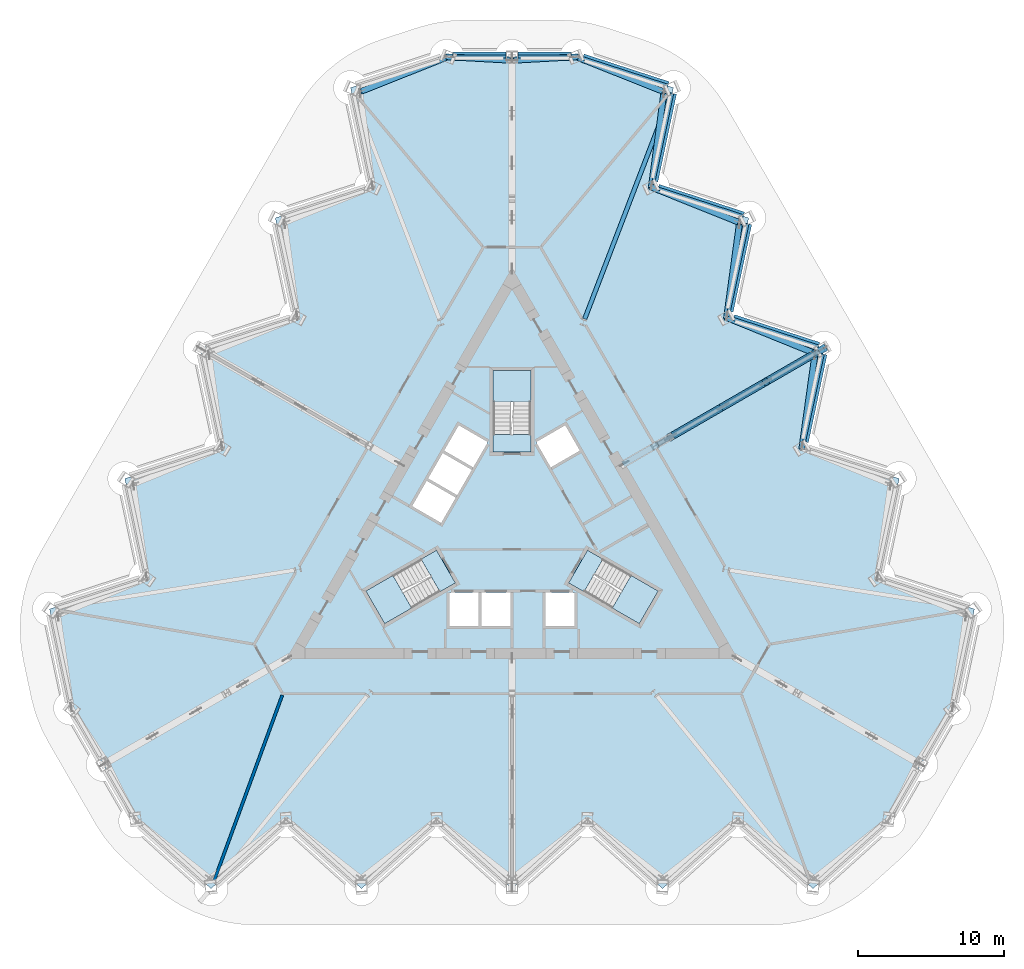
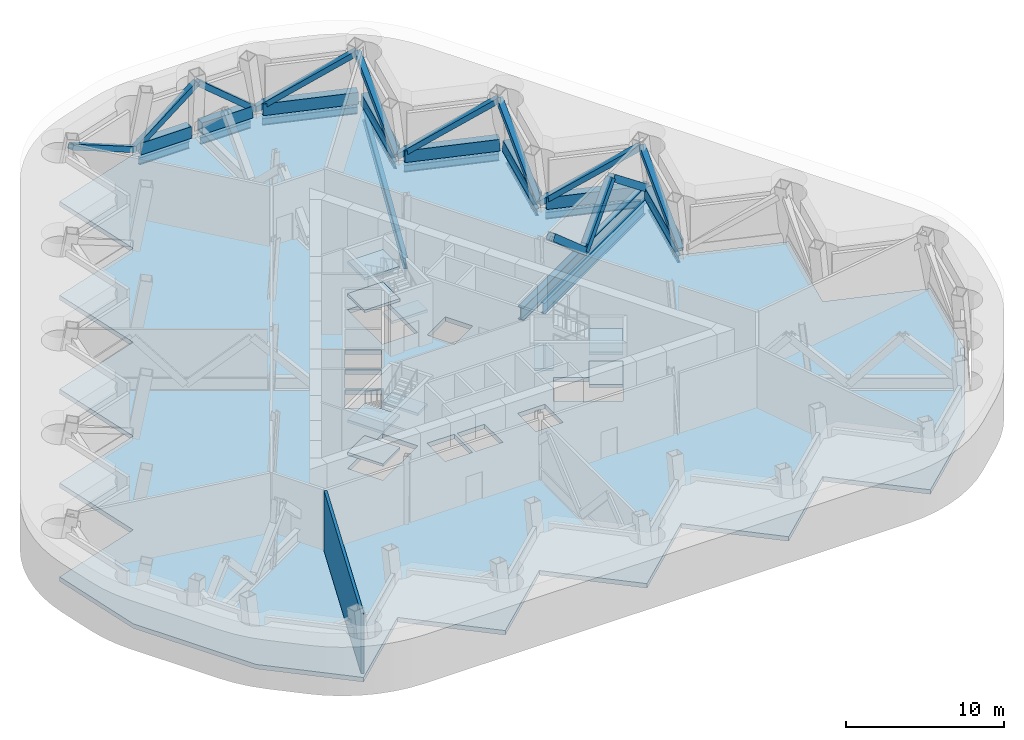
# One storey, part 4 of 13: 21 members, 10 beams, 10 slabs, 1 wall, 3 elements without a shape of their own.
"""IFC4 building model written with IfcOpenShell, lengths in metres."""

from ifc_helpers import new_model, si_unit, direction, frame, frame_2d, origin, origin_2d, place, context, subcontext, project, spatial, polyline, rectangle, hollow_rectangle, i_section, outline, extrude, material, layer, layer_set, material_profile, profile_set, type_object, element, aggregate, save


model = new_model("IFC4")

# Units and contexts
model_context = context("Model", 3, precision=1e-05, world=origin(), true_north=direction((0.0, 1.0)))
body_context = subcontext(model_context, "Body", "Model", "MODEL_VIEW")
ifc_project = project(units=[si_unit("LENGTHUNIT", "METRE"), si_unit("AREAUNIT", "SQUARE_METRE"), si_unit("VOLUMEUNIT", "CUBIC_METRE"), si_unit("PLANEANGLEUNIT", "RADIAN"), si_unit("MASSUNIT", "GRAM", prefix="KILO")], contexts=[model_context])

# Site, building, storey
site_placement = place(None, origin())
site = spatial("IfcSite", under=ifc_project, at=site_placement, CompositionType="ELEMENT")
building_placement = place(site_placement, origin())
building = spatial("IfcBuilding", under=site, at=building_placement, Name="Cormorant Prow Tower", CompositionType="ELEMENT")
storey_placement = place(building_placement, frame((0.0, 0.0, 226.0)))
storey = spatial("IfcBuildingStorey", under=building, at=storey_placement, Name="L49", CompositionType="ELEMENT", Elevation=226.0)

# Members
ifc_material_1 = material(Name="Structural steel ASTM A572 Gr 50", Category="steel")
ifc_material_profile_1 = material_profile(ifc_material_1, hollow_rectangle(XDim=0.60009765625, YDim=0.89990234375, WallThickness=0.06005859375, at=origin_2d()), Name="Box 900x600x60")
ifc_profile_set_1 = profile_set([ifc_material_profile_1], Name="Structural steel ASTM A572 Gr 50")
member_type_1 = type_object("IfcMemberType", Name="Belt truss bottom chord 900x600x60", PredefinedType="CHORD", material=ifc_profile_set_1)
member_1_placement = place(storey_placement, frame((20.0478515625, 5.9541015625, 0.449951171875), z_axis=(0.207904811195, 0.978149063018, 0.0), x_axis=(-0.978149063018, 0.207904811195, 0.0)))
element("IfcMember", 1, at=member_1_placement, inside=storey, type_object=member_type_1, Name="Belt truss bottom chord ENE04-ENE05 L49", PredefinedType="CHORD", context=body_context, shape_type="SweptSolid", body=[
    extrude(hollow_rectangle(XDim=0.60009765625, YDim=0.89990234375, WallThickness=0.06005859375, at=origin_2d()), origin(), (0.0, 0.0, 1.0), 6.149658203125),
])
member_2_placement = place(storey_placement, frame((21.029052734375, 12.484375, 0.449951171875), z_axis=(-0.951057696564, 0.309013361859, 0.0), x_axis=(-0.309013361859, -0.951057696564, 0.0)))
element("IfcMember", 2, at=member_2_placement, inside=storey, type_object=member_type_1, Name="Belt truss bottom chord ENE05-ENE06 L49", PredefinedType="CHORD", context=body_context, shape_type="SweptSolid", body=[
    extrude(hollow_rectangle(XDim=0.60009765625, YDim=0.89990234375, WallThickness=0.06005859375, at=origin_2d()), origin(), (0.0, 0.0, 1.0), 6.14990234375),
])
member_3_placement = place(storey_placement, frame((14.883056640625, 14.899658203125, 0.449951171875), z_axis=(0.207904811195, 0.978149063018, 0.0), x_axis=(-0.978149063018, 0.207904811195, 0.0)))
element("IfcMember", 3, at=member_3_placement, inside=storey, type_object=member_type_1, Name="Belt truss bottom chord ENE06-ENE07 L49", PredefinedType="CHORD", context=body_context, shape_type="SweptSolid", body=[
    extrude(hollow_rectangle(XDim=0.60009765625, YDim=0.89990234375, WallThickness=0.06005859375, at=origin_2d()), origin(), (0.0, 0.0, 1.0), 6.149658203125),
])
member_4_placement = place(storey_placement, frame((15.864501953125, 21.429931640625, 0.449951171875), z_axis=(-0.951057696564, 0.309013361859, 0.0), x_axis=(-0.309013361859, -0.951057696564, 0.0)))
element("IfcMember", 4, at=member_4_placement, inside=storey, type_object=member_type_1, Name="Belt truss bottom chord ENE07-ENE08 L49", PredefinedType="CHORD", context=body_context, shape_type="SweptSolid", body=[
    extrude(hollow_rectangle(XDim=0.60009765625, YDim=0.89990234375, WallThickness=0.06005859375, at=origin_2d()), origin(), (0.0, 0.0, 1.0), 6.14990234375),
])
member_5_placement = place(storey_placement, frame((9.71826171875, 23.84521484375, 0.449951171875), z_axis=(0.207904811195, 0.978149063018, 0.0), x_axis=(-0.978149063018, 0.207904811195, 0.0)))
element("IfcMember", 5, at=member_5_placement, inside=storey, type_object=member_type_1, Name="Belt truss bottom chord ENE08-ENE09 L49", PredefinedType="CHORD", context=body_context, shape_type="SweptSolid", body=[
    extrude(hollow_rectangle(XDim=0.60009765625, YDim=0.89990234375, WallThickness=0.06005859375, at=origin_2d()), origin(), (0.0, 0.0, 1.0), 6.149658203125),
])
member_6_placement = place(storey_placement, frame((10.69970703125, 30.37548828125, 0.449951171875), z_axis=(-0.951057696564, 0.309013361859, 0.0), x_axis=(-0.309013361859, -0.951057696564, 0.0)))
element("IfcMember", 6, at=member_6_placement, inside=storey, type_object=member_type_1, Name="Belt truss bottom chord ENE09-N00 L49", PredefinedType="CHORD", context=body_context, shape_type="SweptSolid", body=[
    extrude(hollow_rectangle(XDim=0.60009765625, YDim=0.89990234375, WallThickness=0.06005859375, at=origin_2d()), origin(), (0.0, 0.0, 1.0), 6.14990234375),
])
for number, where, z_axis, x_axis, name in (
    (7, (4.0703125, 32.3994140625, 0.449951171875), (-1.0, 0.0, 0.0), (0.0, -1.0, 0.0), "Belt truss bottom chord N00-N01 L49"),
    (8, (-0.39990234375, 32.3994140625, 0.449951171875), (-1.0, 0.0, 0.0), (0.0, -1.0, 0.0), "Belt truss bottom chord N01-WNW00 L49"),
):
    element("IfcMember", number, at=place(storey_placement, frame(where, z_axis=z_axis, x_axis=x_axis)), inside=storey, type_object=member_type_1, Name=name, PredefinedType="CHORD", context=body_context, shape_type="SweptSolid", body=[
        extrude(hollow_rectangle(XDim=0.60009765625, YDim=0.89990234375, WallThickness=0.06005859375, at=origin_2d()), origin(), (0.0, 0.0, 1.0), 3.67041015625),
    ])
ifc_material_2 = material(Name="Structural steel ASTM A500 Gr C", Category="steel")
ifc_material_profile_2 = material_profile(ifc_material_2, hollow_rectangle(XDim=0.406494140625, YDim=0.406494140625, WallThickness=0.014892578125, at=origin_2d()), Name="HSS16x16x5/8")
ifc_profile_set_2 = profile_set([ifc_material_profile_2], Name="Structural steel ASTM A500 Gr C")
member_type_2 = type_object("IfcMemberType", Name="Belt truss diagonal HSS16x16x5/8", PredefinedType="BRACE", material=ifc_profile_set_2)
member_7_placement = place(storey_placement, frame((14.732177734375, 14.4716796875, 0.449951171875), z_axis=(0.804234114821, -0.326118664104, 0.496844146067), x_axis=(0.375782107814, 0.926708048658, 0.0)))
element("IfcMember", 9, at=member_7_placement, inside=storey, type_object=member_type_2, Name="Belt truss diagonal ENE05-ENE06 L49", PredefinedType="BRACE", context=body_context, shape_type="SweptSolid", body=[
    extrude(hollow_rectangle(XDim=0.406494140625, YDim=0.406494140625, WallThickness=0.014892578125, at=origin_2d()), origin(), (0.0, 0.0, 1.0), 7.547607421875),
])
member_8_placement = place(storey_placement, frame((9.565185546875, 23.4208984375, 0.449951171875), z_axis=(0.804479497048, -0.323096254925, 0.498419049478), x_axis=(0.372687446362, 0.927956931826, 0.0)))
element("IfcMember", 10, at=member_8_placement, inside=storey, type_object=member_type_2, Name="Belt truss diagonal ENE07-ENE08 L49", PredefinedType="BRACE", context=body_context, shape_type="SweptSolid", body=[
    extrude(hollow_rectangle(XDim=0.406494140625, YDim=0.406494140625, WallThickness=0.014892578125, at=origin_2d()), origin(), (0.0, 0.0, 1.0), 7.523681640625),
])
member_9_placement = place(storey_placement, frame((4.3984375, 32.3701171875, 0.449951171875), z_axis=(0.804694008208, -0.320067619592, 0.500024271454), x_axis=(0.36958823315, 0.929195640281, 0.0)))
element("IfcMember", 11, at=member_9_placement, inside=storey, type_object=member_type_2, Name="Belt truss diagonal ENE09-N00 L49", PredefinedType="BRACE", context=body_context, shape_type="SweptSolid", body=[
    extrude(hollow_rectangle(XDim=0.406494140625, YDim=0.406494140625, WallThickness=0.014892578125, at=origin_2d()), origin(), (0.0, 0.0, 1.0), 7.499755859375),
])
member_10_placement = place(storey_placement, frame((-4.3984375, 32.3701171875, 0.449951171875), z_axis=(0.760290702834, -0.042285262225, 0.648205217337), x_axis=(0.055531408454, 0.998456940822, 0.0)))
element("IfcMember", 12, at=member_10_placement, inside=storey, type_object=member_type_2, Name="Belt truss diagonal N01-WNW00 L49", PredefinedType="BRACE", context=body_context, shape_type="SweptSolid", body=[
    extrude(hollow_rectangle(XDim=0.406494140625, YDim=0.406494140625, WallThickness=0.014892578125, at=origin_2d()), origin(), (0.0, 0.0, 1.0), 5.78515625),
])
ifc_material_3 = material(Name="Structural steel ASTM A500 Gr C", Category="steel")
ifc_material_profile_3 = material_profile(ifc_material_3, hollow_rectangle(XDim=0.406494140625, YDim=0.406494140625, WallThickness=0.014892578125, at=origin_2d()), Name="HSS16x16x5/8")
ifc_profile_set_3 = profile_set([ifc_material_profile_3], Name="Structural steel ASTM A500 Gr C")
member_type_3 = type_object("IfcMemberType", Name="Belt truss strut HSS16x16x5/8", PredefinedType="STRUT", material=ifc_profile_set_3)
member_11_placement = place(storey_placement, frame((19.89892578125, 5.5224609375, 0.449951171875), z_axis=(0.119679254509, 0.859555813331, 0.496830634935), x_axis=(-0.990445662694, 0.137903550537, 0.0)))
element("IfcMember", 13, at=member_11_placement, inside=storey, type_object=member_type_3, Name="Belt truss strut ENE04-ENE05 L49", PredefinedType="STRUT", context=body_context, shape_type="SweptSolid", body=[
    extrude(hollow_rectangle(XDim=0.406494140625, YDim=0.406494140625, WallThickness=0.014892578125, at=origin_2d()), origin(), (0.0, 0.0, 1.0), 7.5478515625),
])
member_12_placement = place(storey_placement, frame((14.732177734375, 14.4716796875, 0.449951171875), z_axis=(0.116975756657, 0.86084226212, 0.495244658832), x_axis=(-0.990893520588, 0.134647803015, 0.0)))
element("IfcMember", 14, at=member_12_placement, inside=storey, type_object=member_type_3, Name="Belt truss strut ENE06-ENE07 L49", PredefinedType="STRUT", context=body_context, shape_type="SweptSolid", body=[
    extrude(hollow_rectangle(XDim=0.406494140625, YDim=0.406494140625, WallThickness=0.014892578125, at=origin_2d()), origin(), (0.0, 0.0, 1.0), 7.572021484375),
])
member_13_placement = place(storey_placement, frame((9.565185546875, 23.4208984375, 0.449951171875), z_axis=(0.114288164592, 0.862110721885, 0.493663163143), x_axis=(-0.991327032231, 0.131418092999, 0.0)))
element("IfcMember", 15, at=member_13_placement, inside=storey, type_object=member_type_3, Name="Belt truss strut ENE08-ENE09 L49", PredefinedType="STRUT", context=body_context, shape_type="SweptSolid", body=[
    extrude(hollow_rectangle(XDim=0.406494140625, YDim=0.406494140625, WallThickness=0.014892578125, at=origin_2d()), origin(), (0.0, 0.0, 1.0), 7.59619140625),
])
member_14_placement = place(storey_placement, frame((4.3984375, 32.3701171875, 0.449951171875), z_axis=(-0.760290702834, -0.042285262225, 0.648205217337), x_axis=(0.055531408454, -0.998456940822, 0.0)))
element("IfcMember", 16, at=member_14_placement, inside=storey, type_object=member_type_3, Name="Belt truss strut N00-N01 L49", PredefinedType="STRUT", context=body_context, shape_type="SweptSolid", body=[
    extrude(hollow_rectangle(XDim=0.406494140625, YDim=0.406494140625, WallThickness=0.014892578125, at=origin_2d()), origin(), (0.0, 0.0, 1.0), 5.78515625),
])
member_15_placement = place(storey_placement, frame((-4.3984375, 32.3701171875, 0.449951171875), z_axis=(-0.804694008208, -0.320067619592, 0.500024271454), x_axis=(0.36958823315, -0.929195640281, 0.0)))
element("IfcMember", 17, at=member_15_placement, inside=storey, type_object=member_type_3, Name="Belt truss strut WNW00-WNW01 L49", PredefinedType="STRUT", context=body_context, shape_type="SweptSolid", body=[
    extrude(hollow_rectangle(XDim=0.406494140625, YDim=0.406494140625, WallThickness=0.014892578125, at=origin_2d()), origin(), (0.0, 0.0, 1.0), 7.499755859375),
])
ifc_material_4 = material(Name="Structural steel ASTM A992 Gr 50", Category="steel")
ifc_material_profile_4 = material_profile(ifc_material_4, i_section(OverallWidth=0.39990234375, OverallDepth=1.000244140625, WebThickness=0.01904296875, FlangeThickness=0.0361328125, at=origin_2d()), Name="W40x249")
ifc_profile_set_4 = profile_set([ifc_material_profile_4], Name="Structural steel ASTM A992 Gr 50")
member_type_4 = type_object("IfcMemberType", Name="Outrigger chord W40x249", PredefinedType="CHORD", material=ifc_profile_set_4)
member_16_placement = place(storey_placement, frame((7.6201171875, 4.3994140625, 0.500244140625), z_axis=(0.866020892659, 0.500007813417, 0.0), x_axis=(-0.500007813417, 0.866020892659, 0.0)))
element("IfcMember", 18, at=member_16_placement, inside=storey, type_object=member_type_4, Name="Outrigger bottom chord 6 L49", PredefinedType="CHORD", context=body_context, shape_type="SweptSolid", body=[
    extrude(i_section(OverallWidth=0.39990234375, OverallDepth=1.000244140625, WebThickness=0.01904296875, FlangeThickness=0.0361328125, at=origin_2d()), origin(), (0.0, 0.0, 1.0), 15.922607421875),
])
ifc_material_5 = material(Name="Structural steel ASTM A500 Gr C", Category="steel")
ifc_material_profile_5 = material_profile(ifc_material_5, hollow_rectangle(XDim=0.508056640625, YDim=0.508056640625, WallThickness=0.014892578125, at=origin_2d()), Name="HSS20x20x5/8")
ifc_profile_set_5 = profile_set([ifc_material_profile_5], Name="Structural steel ASTM A500 Gr C")
member_type_5 = type_object("IfcMemberType", Name="Outrigger diagonal HSS20x20x5/8", PredefinedType="BRACE", material=ifc_profile_set_5)
member_17_placement = place(storey_placement, frame((14.514892578125, 8.380126953125, 0.500244140625), z_axis=(0.586039823569, 0.338355625508, 0.736255930963), x_axis=(-0.50000595786, 0.866021963985, 0.0)))
element("IfcMember", 19, at=member_17_placement, inside=storey, type_object=member_type_5, Name="Outrigger diagonal 6.3 L49", PredefinedType="BRACE", context=body_context, shape_type="SweptSolid", body=[
    extrude(hollow_rectangle(XDim=0.508056640625, YDim=0.508056640625, WallThickness=0.014892578125, at=origin_2d()), origin(), (0.0, 0.0, 1.0), 4.95703125),
])
ifc_material_6 = material(Name="Structural steel ASTM A500 Gr C", Category="steel")
ifc_material_profile_6 = material_profile(ifc_material_6, hollow_rectangle(XDim=0.508056640625, YDim=0.508056640625, WallThickness=0.014892578125, at=origin_2d()), Name="HSS20x20x5/8")
ifc_profile_set_6 = profile_set([ifc_material_profile_6], Name="Structural steel ASTM A500 Gr C")
member_type_6 = type_object("IfcMemberType", Name="Outrigger strut HSS20x20x5/8", PredefinedType="STRUT", material=ifc_profile_set_6)
member_18_placement = place(storey_placement, frame((10.88671875, 6.285400390625, 4.14990234375), z_axis=(0.652993730346, 0.377006002716, -0.656860458579), x_axis=(-0.499999897272, 0.866025463095, 0.0)))
element("IfcMember", 20, at=member_18_placement, inside=storey, type_object=member_type_6, Name="Outrigger strut 6.2 L49", PredefinedType="STRUT", context=body_context, shape_type="SweptSolid", body=[
    extrude(hollow_rectangle(XDim=0.508056640625, YDim=0.508056640625, WallThickness=0.014892578125, at=origin_2d()), origin(), (0.0, 0.0, 1.0), 5.55615234375),
])
member_19_placement = place(storey_placement, frame((17.419921875, 10.057373046875, 4.14990234375), z_axis=(0.678803973046, 0.391929226222, -0.620980392452), x_axis=(-0.500020638674, 0.866013487713, 0.0)))
element("IfcMember", 21, at=member_19_placement, inside=storey, type_object=member_type_6, Name="Outrigger strut 6.4 L49", PredefinedType="STRUT", context=body_context, shape_type="SweptSolid", body=[
    extrude(hollow_rectangle(XDim=0.508056640625, YDim=0.508056640625, WallThickness=0.014892578125, at=origin_2d()), origin(), (0.0, 0.0, 1.0), 5.877197265625),
])

# Beams
ifc_material_7 = material(Name="Structural steel ASTM A992 Gr 50", Category="steel")
ifc_material_profile_7 = material_profile(ifc_material_7, i_section(OverallWidth=0.29296875, OverallDepth=0.845703125, WebThickness=0.015380859375, FlangeThickness=0.0244140625, at=origin_2d()), Name="W33x141")
ifc_profile_set_7 = profile_set([ifc_material_profile_7], Name="Structural steel ASTM A992 Gr 50")
beam_type_1 = type_object("IfcBeamType", Name="Radial floor beam W33x141", PredefinedType="BEAM", material=ifc_profile_set_7)
beam_1_placement = place(storey_placement, frame((10.0048828125, 5.7763671875, -0.77294921875), z_axis=(0.866026069776, 0.499998846467, 0.0), x_axis=(-0.499998846467, 0.866026069776, 0.0)))
element("IfcBeam", 22, at=beam_1_placement, inside=storey, type_object=beam_type_1, Name="Radial floor beam FB2 11 L49", PredefinedType="BEAM", context=body_context, shape_type="SweptSolid", body=[
    extrude(i_section(OverallWidth=0.29296875, OverallDepth=0.845703125, WebThickness=0.015380859375, FlangeThickness=0.0244140625, at=origin_2d()), origin(), (0.0, 0.0, 1.0), 12.76904296875),
])
beam_2_placement = place(storey_placement, frame((4.9873046875, 14.376220703125, -0.77294921875), z_axis=(0.358301123829, 0.933606075742, 0.0), x_axis=(-0.933606075742, 0.358301123829, 0.0)))
element("IfcBeam", 23, at=beam_2_placement, inside=storey, type_object=beam_type_1, Name="Radial floor beam FB2 12 L49", PredefinedType="BEAM", context=body_context, shape_type="SweptSolid", body=[
    extrude(i_section(OverallWidth=0.29296875, OverallDepth=0.845703125, WebThickness=0.015380859375, FlangeThickness=0.0244140625, at=origin_2d()), origin(), (0.0, 0.0, 1.0), 16.604736328125),
])
ifc_material_8 = material(Name="Structural steel ASTM A992 Gr 50", Category="steel")
ifc_material_profile_8 = material_profile(ifc_material_8, i_section(OverallWidth=0.2138671875, OverallDepth=0.549072265625, WebThickness=0.0146484375, FlangeThickness=0.023681640625, at=origin_2d()), Name="W21x93")
ifc_profile_set_8 = profile_set([ifc_material_profile_8], Name="Structural steel ASTM A992 Gr 50")
beam_type_2 = type_object("IfcBeamType", Name="Spandrel beam W21x93", PredefinedType="SPANDREL", material=ifc_profile_set_8)
beam_3_placement = place(storey_placement, frame((20.0478515625, 5.9541015625, -0.62451171875), z_axis=(0.207904811195, 0.978149063018, 0.0), x_axis=(-0.978149063018, 0.207904811195, 0.0)))
element("IfcBeam", 24, at=beam_3_placement, inside=storey, type_object=beam_type_2, Name="Spandrel beam SB2 ENE04-ENE05 L49", PredefinedType="SPANDREL", context=body_context, shape_type="SweptSolid", body=[
    extrude(i_section(OverallWidth=0.2138671875, OverallDepth=0.549072265625, WebThickness=0.0146484375, FlangeThickness=0.023681640625, at=origin_2d()), origin(), (0.0, 0.0, 1.0), 6.149658203125),
])
beam_4_placement = place(storey_placement, frame((21.029052734375, 12.484375, -0.62451171875), z_axis=(-0.951057696564, 0.309013361859, 0.0), x_axis=(-0.309013361859, -0.951057696564, 0.0)))
element("IfcBeam", 25, at=beam_4_placement, inside=storey, type_object=beam_type_2, Name="Spandrel beam SB2 ENE05-ENE06 L49", PredefinedType="SPANDREL", context=body_context, shape_type="SweptSolid", body=[
    extrude(i_section(OverallWidth=0.2138671875, OverallDepth=0.549072265625, WebThickness=0.0146484375, FlangeThickness=0.023681640625, at=origin_2d()), origin(), (0.0, 0.0, 1.0), 6.14990234375),
])
beam_5_placement = place(storey_placement, frame((14.883056640625, 14.899658203125, -0.62451171875), z_axis=(0.207904811195, 0.978149063018, 0.0), x_axis=(-0.978149063018, 0.207904811195, 0.0)))
element("IfcBeam", 26, at=beam_5_placement, inside=storey, type_object=beam_type_2, Name="Spandrel beam SB2 ENE06-ENE07 L49", PredefinedType="SPANDREL", context=body_context, shape_type="SweptSolid", body=[
    extrude(i_section(OverallWidth=0.2138671875, OverallDepth=0.549072265625, WebThickness=0.0146484375, FlangeThickness=0.023681640625, at=origin_2d()), origin(), (0.0, 0.0, 1.0), 6.149658203125),
])
beam_6_placement = place(storey_placement, frame((15.864501953125, 21.429931640625, -0.62451171875), z_axis=(-0.951057696564, 0.309013361859, 0.0), x_axis=(-0.309013361859, -0.951057696564, 0.0)))
element("IfcBeam", 27, at=beam_6_placement, inside=storey, type_object=beam_type_2, Name="Spandrel beam SB2 ENE07-ENE08 L49", PredefinedType="SPANDREL", context=body_context, shape_type="SweptSolid", body=[
    extrude(i_section(OverallWidth=0.2138671875, OverallDepth=0.549072265625, WebThickness=0.0146484375, FlangeThickness=0.023681640625, at=origin_2d()), origin(), (0.0, 0.0, 1.0), 6.14990234375),
])
beam_7_placement = place(storey_placement, frame((9.71826171875, 23.84521484375, -0.62451171875), z_axis=(0.207904811195, 0.978149063018, 0.0), x_axis=(-0.978149063018, 0.207904811195, 0.0)))
element("IfcBeam", 28, at=beam_7_placement, inside=storey, type_object=beam_type_2, Name="Spandrel beam SB2 ENE08-ENE09 L49", PredefinedType="SPANDREL", context=body_context, shape_type="SweptSolid", body=[
    extrude(i_section(OverallWidth=0.2138671875, OverallDepth=0.549072265625, WebThickness=0.0146484375, FlangeThickness=0.023681640625, at=origin_2d()), origin(), (0.0, 0.0, 1.0), 6.149658203125),
])
beam_8_placement = place(storey_placement, frame((10.69970703125, 30.37548828125, -0.62451171875), z_axis=(-0.951057696564, 0.309013361859, 0.0), x_axis=(-0.309013361859, -0.951057696564, 0.0)))
element("IfcBeam", 29, at=beam_8_placement, inside=storey, type_object=beam_type_2, Name="Spandrel beam SB2 ENE09-N00 L49", PredefinedType="SPANDREL", context=body_context, shape_type="SweptSolid", body=[
    extrude(i_section(OverallWidth=0.2138671875, OverallDepth=0.549072265625, WebThickness=0.0146484375, FlangeThickness=0.023681640625, at=origin_2d()), origin(), (0.0, 0.0, 1.0), 6.14990234375),
])
for number, where, z_axis, x_axis, name in (
    (30, (4.0703125, 32.3994140625, -0.62451171875), (-1.0, 0.0, 0.0), (0.0, -1.0, 0.0), "Spandrel beam SB2 N00-N01 L49"),
    (31, (-0.39990234375, 32.3994140625, -0.62451171875), (-1.0, 0.0, 0.0), (0.0, -1.0, 0.0), "Spandrel beam SB2 N01-WNW00 L49"),
):
    element("IfcBeam", number, at=place(storey_placement, frame(where, z_axis=z_axis, x_axis=x_axis)), inside=storey, type_object=beam_type_2, Name=name, PredefinedType="SPANDREL", context=body_context, shape_type="SweptSolid", body=[
        extrude(i_section(OverallWidth=0.2138671875, OverallDepth=0.549072265625, WebThickness=0.0146484375, FlangeThickness=0.023681640625, at=origin_2d()), origin(), (0.0, 0.0, 1.0), 3.67041015625),
    ])

# Slab
ifc_material_9 = material(Name="Concrete C40/50", Category="concrete")
ifc_layer_1 = layer(ifc_material_9, 0.35009765625)
ifc_layer_set_1 = layer_set([ifc_layer_1], Name="Concrete C40/50")
slab_type_1 = type_object("IfcSlabType", Name="Post-tensioned flat slab 350", PredefinedType="FLOOR", material=ifc_layer_set_1)
slab_1_placement = place(storey_placement, frame((0.0, 0.0, -0.35009765625)))
element("IfcSlab", 32, at=slab_1_placement, inside=storey, type_object=slab_type_1, Name="Floor slab L49", PredefinedType="FLOOR", context=body_context, shape_type="SweptSolid", body=[
    extrude(outline(polyline([(-9.63525390625, 23.453857421875), (-16.244873046875, 21.306396484375), (-14.7998046875, 14.50830078125), (-21.409423828125, 12.36083984375), (-19.964599609375, 5.562744140625), (-26.57421875, 3.415283203125), (-25.12939453125, -3.3828125), (-31.739013671875, -5.5302734375), (-30.2939453125, -12.328369140625), (-28.058837890625, -16.19970703125), (-25.823486328125, -20.0712890625), (-20.658935546875, -24.7216796875), (-15.494140625, -20.0712890625), (-10.329345703125, -24.7216796875), (-5.164794921875, -20.0712890625), (0.0, -24.7216796875), (5.164794921875, -20.0712890625), (10.329345703125, -24.7216796875), (15.494140625, -20.0712890625), (20.658935546875, -24.7216796875), (25.823486328125, -20.0712890625), (28.058837890625, -16.19970703125), (30.2939453125, -12.328369140625), (31.739013671875, -5.5302734375), (25.12939453125, -3.3828125), (26.57421875, 3.415283203125), (19.964599609375, 5.562744140625), (21.409423828125, 12.36083984375), (14.7998046875, 14.50830078125), (16.244873046875, 21.306396484375), (9.63525390625, 23.453857421875), (11.080078125, 30.251953125), (4.470458984375, 32.3994140625), (0.0, 32.3994140625), (-4.470458984375, 32.3994140625), (-11.080078125, 30.251953125), (-9.63525390625, 23.453857421875)]), holes=[polyline([(-4.300048828125, -4.39990234375), (-2.300048828125, -4.39990234375), (-2.300048828125, -6.699951171875), (-4.300048828125, -6.699951171875), (-4.300048828125, -4.39990234375)]), polyline([(-0.10009765625, -4.39990234375), (-0.10009765625, -6.699951171875), (-2.10009765625, -6.699951171875), (-2.10009765625, -4.39990234375), (-0.10009765625, -4.39990234375)]), polyline([(4.300048828125, -6.699951171875), (2.300048828125, -6.699951171875), (2.300048828125, -4.39990234375), (4.300048828125, -4.39990234375), (4.300048828125, -6.699951171875)]), polyline([(4.65234375, 5.341796875), (2.660400390625, 4.19189453125), (1.660400390625, 5.923828125), (3.65234375, 7.073974609375), (4.65234375, 5.341796875)]), polyline([(-1.660400390625, 5.923828125), (-2.660400390625, 4.19189453125), (-4.65234375, 5.341796875), (-3.65234375, 7.073974609375), (-1.660400390625, 5.923828125)]), polyline([(-3.760498046875, 2.28662109375), (-5.75244140625, 3.4365234375), (-4.75244140625, 5.168701171875), (-2.760498046875, 4.018798828125), (-3.760498046875, 2.28662109375)]), polyline([(-6.852294921875, 1.53125), (-5.852294921875, 3.263427734375), (-3.860595703125, 2.11328125), (-4.860595703125, 0.38134765625), (-6.852294921875, 1.53125)]), polyline([(-4.947509765625, -4.3505859375), (-8.738037109375, -6.5390625), (-10.031982421875, -4.2978515625), (-6.241455078125, -2.109375), (-4.947509765625, -4.3505859375)]), polyline([(10.031982421875, -4.2978515625), (8.738037109375, -6.5390625), (4.947509765625, -4.3505859375), (6.241455078125, -2.109375), (10.031982421875, -4.2978515625)]), polyline([(1.2939453125, 10.8369140625), (1.2939453125, 6.459716796875), (-1.2939453125, 6.459716796875), (-1.2939453125, 10.8369140625), (1.2939453125, 10.8369140625)])]), origin(), (0.0, 0.0, 1.0), 0.35009765625),
])

# Stair, slabs
ifc_material_10 = material(Name="Exit stair 36 risers")
stair_type = type_object("IfcStairType", Name="Exit stair 36 risers", PredefinedType="HALF_TURN_STAIR", material=ifc_material_10)
stair_1_placement = place(storey_placement, origin())
stair_1 = element("IfcStair", 33, at=stair_1_placement, inside=storey, type_object=stair_type, Name="L49 Exit stair ST1", PredefinedType="HALF_TURN_STAIR")
ifc_material_11 = material(Name="Concrete 5000 psi", Category="concrete")
ifc_layer_2 = layer(ifc_material_11, 0.199951171875)
ifc_layer_set_2 = layer_set([ifc_layer_2], Name="Concrete 5000 psi")
slab_type_2 = type_object("IfcSlabType", Name="Stair landing 200", PredefinedType="LANDING", material=ifc_layer_set_2)
slab_2_placement = place(storey_placement, frame((0.0, 0.0, 1.050048828125)))
slab_2 = element("IfcSlab", 34, at=slab_2_placement, type_object=slab_type_2, Name="ST1 landing 1", PredefinedType="LANDING", context=body_context, shape_type="SweptSolid", body=[
    extrude(outline(polyline([(-8.17431640625, -3.225341796875), (-10.031982421875, -4.2978515625), (-8.738037109375, -6.5390625), (-6.88037109375, -5.466552734375), (-8.17431640625, -3.225341796875)])), origin(), (0.0, 0.0, 1.0), 0.199951171875),
])
slab_3_placement = place(storey_placement, frame((0.0, 0.0, 2.300048828125)))
slab_3 = element("IfcSlab", 35, at=slab_3_placement, type_object=slab_type_2, Name="ST1 landing 2", PredefinedType="LANDING", context=body_context, shape_type="SweptSolid", body=[
    extrude(outline(polyline([(-5.18212890625, -1.497802734375), (-6.241455078125, -2.109375), (-4.947265625, -4.3505859375), (-3.88818359375, -3.739013671875), (-5.18212890625, -1.497802734375)])), origin(), (0.0, 0.0, 1.0), 0.199951171875),
])
slab_4_placement = place(storey_placement, frame((0.0, 0.0, 3.550048828125)))
slab_4 = element("IfcSlab", 36, at=slab_4_placement, type_object=slab_type_2, Name="ST1 landing 3", PredefinedType="LANDING", context=body_context, shape_type="SweptSolid", body=[
    extrude(outline(polyline([(-8.17431640625, -3.225341796875), (-10.031982421875, -4.2978515625), (-8.738037109375, -6.5390625), (-6.88037109375, -5.466552734375), (-8.17431640625, -3.225341796875)])), origin(), (0.0, 0.0, 1.0), 0.199951171875),
])
aggregate(stair_1, [slab_2, slab_3, slab_4])

stair_2_placement = place(storey_placement, origin())
stair_2 = element("IfcStair", 37, at=stair_2_placement, inside=storey, type_object=stair_type, Name="L49 Exit stair ST2", PredefinedType="HALF_TURN_STAIR")
slab_5_placement = place(storey_placement, frame((0.0, 0.0, 1.050048828125)))
slab_5 = element("IfcSlab", 38, at=slab_5_placement, type_object=slab_type_2, Name="ST2 landing 1", PredefinedType="LANDING", context=body_context, shape_type="SweptSolid", body=[
    extrude(outline(polyline([(6.88037109375, -5.466552734375), (8.738037109375, -6.5390625), (10.031982421875, -4.2978515625), (8.17431640625, -3.225341796875), (6.88037109375, -5.466552734375)])), origin(), (0.0, 0.0, 1.0), 0.199951171875),
])
slab_6_placement = place(storey_placement, frame((0.0, 0.0, 2.300048828125)))
slab_6 = element("IfcSlab", 39, at=slab_6_placement, type_object=slab_type_2, Name="ST2 landing 2", PredefinedType="LANDING", context=body_context, shape_type="SweptSolid", body=[
    extrude(outline(polyline([(3.88818359375, -3.739013671875), (4.947265625, -4.3505859375), (6.241455078125, -2.109375), (5.18212890625, -1.497802734375), (3.88818359375, -3.739013671875)])), origin(), (0.0, 0.0, 1.0), 0.199951171875),
])
slab_7_placement = place(storey_placement, frame((0.0, 0.0, 3.550048828125)))
slab_7 = element("IfcSlab", 40, at=slab_7_placement, type_object=slab_type_2, Name="ST2 landing 3", PredefinedType="LANDING", context=body_context, shape_type="SweptSolid", body=[
    extrude(outline(polyline([(6.88037109375, -5.466552734375), (8.738037109375, -6.5390625), (10.031982421875, -4.2978515625), (8.17431640625, -3.225341796875), (6.88037109375, -5.466552734375)])), origin(), (0.0, 0.0, 1.0), 0.199951171875),
])
aggregate(stair_2, [slab_5, slab_6, slab_7])

stair_3_placement = place(storey_placement, origin())
stair_3 = element("IfcStair", 41, at=stair_3_placement, inside=storey, type_object=stair_type, Name="L49 Exit stair ST3", PredefinedType="HALF_TURN_STAIR")
slab_8_placement = place(storey_placement, frame((0.0, 0.0, 1.050048828125)))
slab_8 = element("IfcSlab", 42, at=slab_8_placement, type_object=slab_type_2, Name="ST3 landing 1", PredefinedType="LANDING", context=body_context, shape_type="SweptSolid", body=[
    extrude(outline(polyline([(1.2939453125, 8.69189453125), (1.2939453125, 10.8369140625), (-1.2939453125, 10.8369140625), (-1.2939453125, 8.69189453125), (1.2939453125, 8.69189453125)])), origin(), (0.0, 0.0, 1.0), 0.199951171875),
])
slab_9_placement = place(storey_placement, frame((0.0, 0.0, 2.300048828125)))
slab_9 = element("IfcSlab", 43, at=slab_9_placement, type_object=slab_type_2, Name="ST3 landing 2", PredefinedType="LANDING", context=body_context, shape_type="SweptSolid", body=[
    extrude(outline(polyline([(1.2939453125, 5.23681640625), (1.2939453125, 6.459716796875), (-1.2939453125, 6.459716796875), (-1.2939453125, 5.23681640625), (1.2939453125, 5.23681640625)])), origin(), (0.0, 0.0, 1.0), 0.199951171875),
])
slab_10_placement = place(storey_placement, frame((0.0, 0.0, 3.550048828125)))
slab_10 = element("IfcSlab", 44, at=slab_10_placement, type_object=slab_type_2, Name="ST3 landing 3", PredefinedType="LANDING", context=body_context, shape_type="SweptSolid", body=[
    extrude(outline(polyline([(1.2939453125, 8.69189453125), (1.2939453125, 10.8369140625), (-1.2939453125, 10.8369140625), (-1.2939453125, 8.69189453125), (1.2939453125, 8.69189453125)])), origin(), (0.0, 0.0, 1.0), 0.199951171875),
])
aggregate(stair_3, [slab_8, slab_9, slab_10])

# Wall
ifc_material_12 = material(Name="Gypsum board demising wall")
ifc_layer_3 = layer(ifc_material_12, 0.199951171875)
ifc_layer_set_3 = layer_set([ifc_layer_3], Name="Gypsum board demising wall")
wall_type = type_object("IfcWallType", Name="Demising wall 200", PredefinedType="PARTITIONING", material=ifc_layer_set_3)
wall_placement = place(storey_placement, frame((-20.489990234375, -24.3115234375, 0.0), z_axis=(0.0, 0.0, 1.0), x_axis=(0.344647088239, 0.938732328498, 0.0)))
element("IfcWall", 45, at=wall_placement, inside=storey, type_object=wall_type, Name="Demising wall", PredefinedType="PARTITIONING", context=body_context, shape_type="SweptSolid", body=[
    extrude(rectangle(XDim=13.70849609375, YDim=0.199951171875, at=frame_2d((6.854248046875, 0.0))), origin(), (0.0, 0.0, 1.0), 4.64990234375),
])

save(model, "model.ifc")
